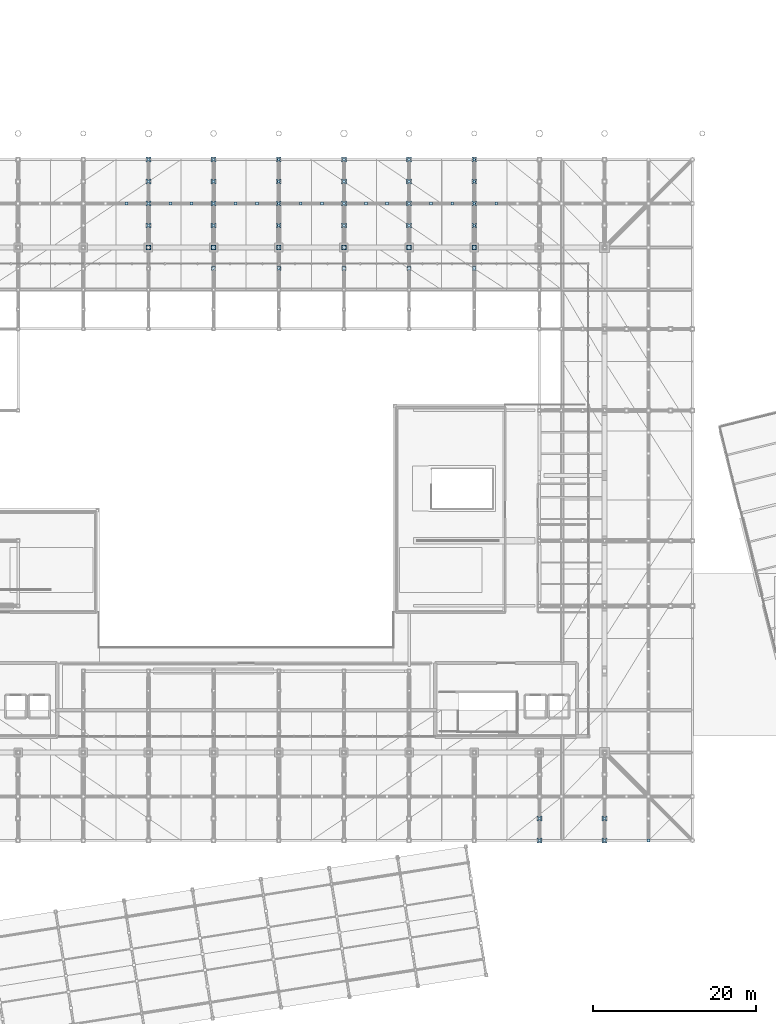
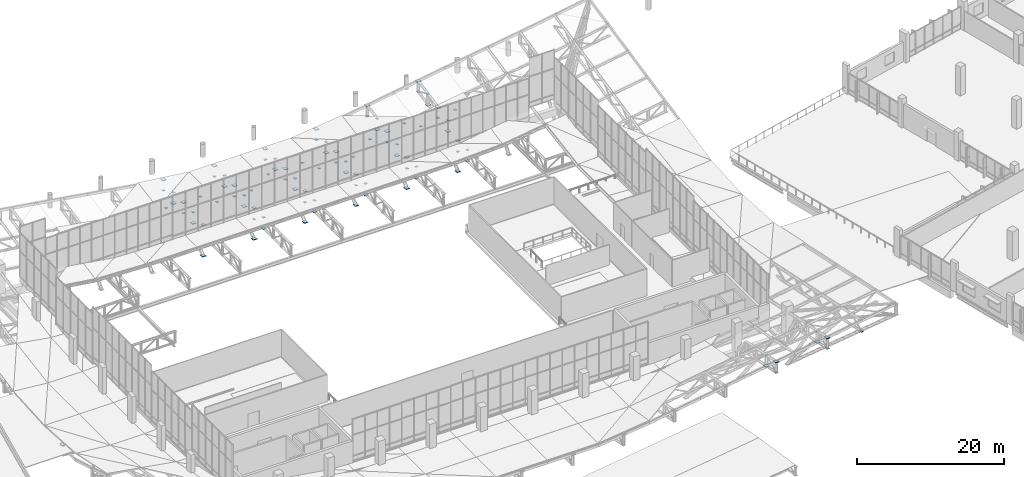
# One storey, part 118 of 137: 96 plates.
"""IFC4 building model written with IfcOpenShell, lengths in metres."""

from ifc_helpers import new_model, si_unit, direction, frame, origin, origin_2d, place, context, subcontext, project, spatial, rectangle, extrude, material, layer, layer_set, type_object, element, save


model = new_model("IFC4")

# Units and contexts
model_context = context("Model", 3, precision=1e-05, world=origin(), true_north=direction((0.0, 1.0)))
body_context = subcontext(model_context, "Body", "Model", "MODEL_VIEW")
ifc_project = project(units=[si_unit("LENGTHUNIT", "METRE"), si_unit("AREAUNIT", "SQUARE_METRE"), si_unit("VOLUMEUNIT", "CUBIC_METRE"), si_unit("PLANEANGLEUNIT", "RADIAN"), si_unit("MASSUNIT", "GRAM", prefix="KILO")], contexts=[model_context])

# Site, building, storey
site_placement = place(None, origin())
site = spatial("IfcSite", under=ifc_project, at=site_placement, CompositionType="ELEMENT")
building_placement = place(site_placement, origin())
building = spatial("IfcBuilding", under=site, at=building_placement, Name="Khorjan Park Terminus", CompositionType="ELEMENT")
storey_placement = place(building_placement, frame((0.0, 0.0, 11.4)))
storey = spatial("IfcBuildingStorey", under=building, at=storey_placement, Name="L02", CompositionType="ELEMENT", Elevation=11.4)

# Plates
ifc_material = material(Name="Steel S355", Category="steel")
ifc_layer_1 = layer(ifc_material, 0.022)
ifc_layer_set_1 = layer_set([ifc_layer_1], Name="Steel S355")
plate_type_1 = type_object("IfcPlateType", Name="PT-GUS-22", PredefinedType="SHEET", material=ifc_layer_set_1)
plate_placement = place(storey_placement, frame((80.0, 88.0, -0.061), z_axis=(0.0, 0.0, 1.0), x_axis=(1.0, 0.0, 0.0)))
element("IfcPlate", 1, at=plate_placement, inside=storey, type_object=plate_type_1, Name="Steel truss node cap plate NP-22 (RC2-GUS-END-0640)", PredefinedType="SHEET", context=body_context, shape_type="SweptSolid", body=[
    extrude(rectangle(XDim=0.49, YDim=0.49, at=origin_2d()), origin(), (0.0, 0.0, 1.0), 0.022),
])
for number, where, z_axis, x_axis, name in (
    (2, (88.0, 85.4, -0.061), (0.0, 0.0, 1.0), (1.0, 0.0, 0.0), "Steel truss node cap plate NP-22 (RC2-GUS-END-0668)"),
    (3, (88.0, 88.0, -1.931), (0.0, 0.0, 1.0), (1.0, 0.0, 0.0), "Steel truss node cap plate NP-22 (RC2-GUS-END-0669)"),
):
    element("IfcPlate", number, at=place(storey_placement, frame(where, z_axis=z_axis, x_axis=x_axis)), inside=storey, type_object=plate_type_1, Name=name, PredefinedType="SHEET", context=body_context, shape_type="SweptSolid", body=[
        extrude(rectangle(XDim=0.36, YDim=0.36, at=origin_2d()), origin(), (0.0, 0.0, 1.0), 0.022),
    ])
for number, where, z_axis, x_axis, name in (
    (4, (88.0, 85.4, -1.931), (0.0, 0.0, 1.0), (1.0, 0.0, 0.0), "Steel truss node cap plate NP-22 (RC2-GUS-END-0677)"),
    (5, (88.0, 88.0, -0.061), (0.0, 0.0, 1.0), (1.0, 0.0, 0.0), "Steel truss node cap plate NP-22 (RC2-GUS-END-0678)"),
):
    element("IfcPlate", number, at=place(storey_placement, frame(where, z_axis=z_axis, x_axis=x_axis)), inside=storey, type_object=plate_type_1, Name=name, PredefinedType="SHEET", context=body_context, shape_type="SweptSolid", body=[
        extrude(rectangle(XDim=0.49, YDim=0.49, at=origin_2d()), origin(), (0.0, 0.0, 1.0), 0.022),
    ])
for number, where, z_axis, x_axis, name in (
    (6, (96.0, 85.4, -0.061), (0.0, 0.0, 1.0), (1.0, 0.0, 0.0), "Steel truss node cap plate NP-22 (RC2-GUS-END-0706)"),
    (7, (96.0, 88.0, -1.931), (0.0, 0.0, 1.0), (1.0, 0.0, 0.0), "Steel truss node cap plate NP-22 (RC2-GUS-END-0707)"),
):
    element("IfcPlate", number, at=place(storey_placement, frame(where, z_axis=z_axis, x_axis=x_axis)), inside=storey, type_object=plate_type_1, Name=name, PredefinedType="SHEET", context=body_context, shape_type="SweptSolid", body=[
        extrude(rectangle(XDim=0.36, YDim=0.36, at=origin_2d()), origin(), (0.0, 0.0, 1.0), 0.022),
    ])
for number, where, z_axis, x_axis, name in (
    (8, (96.0, 85.4, -1.931), (0.0, 0.0, 1.0), (1.0, 0.0, 0.0), "Steel truss node cap plate NP-22 (RC2-GUS-END-0715)"),
    (9, (96.0, 88.0, -0.061), (0.0, 0.0, 1.0), (1.0, 0.0, 0.0), "Steel truss node cap plate NP-22 (RC2-GUS-END-0716)"),
):
    element("IfcPlate", number, at=place(storey_placement, frame(where, z_axis=z_axis, x_axis=x_axis)), inside=storey, type_object=plate_type_1, Name=name, PredefinedType="SHEET", context=body_context, shape_type="SweptSolid", body=[
        extrude(rectangle(XDim=0.49, YDim=0.49, at=origin_2d()), origin(), (0.0, 0.0, 1.0), 0.022),
    ])
for number, where, z_axis, x_axis, name in (
    (10, (104.0, 85.4, -0.061), (0.0, 0.0, 1.0), (1.0, 0.0, 0.0), "Steel truss node cap plate NP-22 (RC2-GUS-END-0744)"),
    (11, (104.0, 88.0, -1.931), (0.0, 0.0, 1.0), (1.0, 0.0, 0.0), "Steel truss node cap plate NP-22 (RC2-GUS-END-0745)"),
):
    element("IfcPlate", number, at=place(storey_placement, frame(where, z_axis=z_axis, x_axis=x_axis)), inside=storey, type_object=plate_type_1, Name=name, PredefinedType="SHEET", context=body_context, shape_type="SweptSolid", body=[
        extrude(rectangle(XDim=0.36, YDim=0.36, at=origin_2d()), origin(), (0.0, 0.0, 1.0), 0.022),
    ])
for number, where, z_axis, x_axis, name in (
    (12, (104.0, 85.4, -1.931), (0.0, 0.0, 1.0), (1.0, 0.0, 0.0), "Steel truss node cap plate NP-22 (RC2-GUS-END-0753)"),
    (13, (104.0, 88.0, -0.061), (0.0, 0.0, 1.0), (1.0, 0.0, 0.0), "Steel truss node cap plate NP-22 (RC2-GUS-END-0754)"),
):
    element("IfcPlate", number, at=place(storey_placement, frame(where, z_axis=z_axis, x_axis=x_axis)), inside=storey, type_object=plate_type_1, Name=name, PredefinedType="SHEET", context=body_context, shape_type="SweptSolid", body=[
        extrude(rectangle(XDim=0.49, YDim=0.49, at=origin_2d()), origin(), (0.0, 0.0, 1.0), 0.022),
    ])
for number, where, z_axis, x_axis, name in (
    (14, (112.0, 85.4, -0.061), (0.0, 0.0, 1.0), (1.0, 0.0, 0.0), "Steel truss node cap plate NP-22 (RC2-GUS-END-0782)"),
    (15, (112.0, 88.0, -1.931), (0.0, 0.0, 1.0), (1.0, 0.0, 0.0), "Steel truss node cap plate NP-22 (RC2-GUS-END-0783)"),
):
    element("IfcPlate", number, at=place(storey_placement, frame(where, z_axis=z_axis, x_axis=x_axis)), inside=storey, type_object=plate_type_1, Name=name, PredefinedType="SHEET", context=body_context, shape_type="SweptSolid", body=[
        extrude(rectangle(XDim=0.36, YDim=0.36, at=origin_2d()), origin(), (0.0, 0.0, 1.0), 0.022),
    ])
for number, where, z_axis, x_axis, name in (
    (16, (112.0, 85.4, -1.931), (0.0, 0.0, 1.0), (1.0, 0.0, 0.0), "Steel truss node cap plate NP-22 (RC2-GUS-END-0791)"),
    (17, (112.0, 88.0, -0.061), (0.0, 0.0, 1.0), (1.0, 0.0, 0.0), "Steel truss node cap plate NP-22 (RC2-GUS-END-0792)"),
):
    element("IfcPlate", number, at=place(storey_placement, frame(where, z_axis=z_axis, x_axis=x_axis)), inside=storey, type_object=plate_type_1, Name=name, PredefinedType="SHEET", context=body_context, shape_type="SweptSolid", body=[
        extrude(rectangle(XDim=0.49, YDim=0.49, at=origin_2d()), origin(), (0.0, 0.0, 1.0), 0.022),
    ])
for number, where, z_axis, x_axis, name in (
    (18, (120.0, 85.4, -0.061), (0.0, 0.0, 1.0), (1.0, 0.0, 0.0), "Steel truss node cap plate NP-22 (RC2-GUS-END-0812)"),
    (19, (120.0, 88.0, -1.931), (0.0, 0.0, 1.0), (1.0, 0.0, 0.0), "Steel truss node cap plate NP-22 (RC2-GUS-END-0813)"),
):
    element("IfcPlate", number, at=place(storey_placement, frame(where, z_axis=z_axis, x_axis=x_axis)), inside=storey, type_object=plate_type_1, Name=name, PredefinedType="SHEET", context=body_context, shape_type="SweptSolid", body=[
        extrude(rectangle(XDim=0.36, YDim=0.36, at=origin_2d()), origin(), (0.0, 0.0, 1.0), 0.022),
    ])
for number, where, z_axis, x_axis, name in (
    (20, (120.0, 85.4, -1.931), (0.0, 0.0, 1.0), (1.0, 0.0, 0.0), "Steel truss node cap plate NP-22 (RC2-GUS-END-0821)"),
    (21, (120.0, 88.0, -0.061), (0.0, 0.0, 1.0), (1.0, 0.0, 0.0), "Steel truss node cap plate NP-22 (RC2-GUS-END-0822)"),
):
    element("IfcPlate", number, at=place(storey_placement, frame(where, z_axis=z_axis, x_axis=x_axis)), inside=storey, type_object=plate_type_1, Name=name, PredefinedType="SHEET", context=body_context, shape_type="SweptSolid", body=[
        extrude(rectangle(XDim=0.49, YDim=0.49, at=origin_2d()), origin(), (0.0, 0.0, 1.0), 0.022),
    ])
ifc_layer_2 = layer(ifc_material, 0.025)
ifc_layer_set_2 = layer_set([ifc_layer_2], Name="Steel S355")
plate_type_2 = type_object("IfcPlateType", Name="PT-GUSE-25", PredefinedType="SHEET", material=ifc_layer_set_2)
for number, where, z_axis, x_axis, name in (
    (22, (80.0, 90.7, 0.3795), (0.0, 0.0, 1.0), (1.0, 0.0, 0.0), "Steel truss node cap plate NPE-25 (RC2-GUS-END-0632)"),
    (23, (80.0, 93.4, -1.4205), (0.0, 0.0, 1.0), (1.0, 0.0, 0.0), "Steel truss node cap plate NPE-25 (RC2-GUS-END-0633)"),
    (24, (80.0, 96.1, 0.3795), (0.0, 0.0, 1.0), (1.0, 0.0, 0.0), "Steel truss node cap plate NPE-25 (RC2-GUS-END-0634)"),
    (25, (80.0, 98.8, -0.9397), (0.0, 0.0, 1.0), (1.0, 0.0, 0.0), "Steel truss node cap plate NPE-25 (RC2-GUS-END-0635)"),
):
    element("IfcPlate", number, at=place(storey_placement, frame(where, z_axis=z_axis, x_axis=x_axis)), inside=storey, type_object=plate_type_2, Name=name, PredefinedType="SHEET", context=body_context, shape_type="SweptSolid", body=[
        extrude(rectangle(XDim=0.36, YDim=0.36, at=origin_2d()), origin(), (0.0, 0.0, 1.0), 0.025),
    ])
for number, where, z_axis, x_axis, name in (
    (26, (80.0, 90.7, -1.4205), (0.0, 0.0, 1.0), (1.0, 0.0, 0.0), "Steel truss node cap plate NPE-25 (RC2-GUS-END-0641)"),
    (27, (80.0, 93.4, 0.3795), (0.0, 0.0, 1.0), (1.0, 0.0, 0.0), "Steel truss node cap plate NPE-25 (RC2-GUS-END-0642)"),
    (28, (80.0, 96.1, -1.4205), (0.0, 0.0, 1.0), (1.0, 0.0, 0.0), "Steel truss node cap plate NPE-25 (RC2-GUS-END-0643)"),
    (29, (80.0, 98.8, 0.8603), (0.0, 0.0, 1.0), (1.0, 0.0, 0.0), "Steel truss node cap plate NPE-25 (RC2-GUS-END-0644)"),
    (30, (80.0, 88.0, -5.2125), (0.0, 0.0, 1.0), (1.0, 0.0, 0.0), "Steel truss node cap plate NPE-25 (RC2-GUS-END-0645)"),
):
    element("IfcPlate", number, at=place(storey_placement, frame(where, z_axis=z_axis, x_axis=x_axis)), inside=storey, type_object=plate_type_2, Name=name, PredefinedType="SHEET", context=body_context, shape_type="SweptSolid", body=[
        extrude(rectangle(XDim=0.59, YDim=0.59, at=origin_2d()), origin(), (0.0, 0.0, 1.0), 0.025),
    ])
for number, where, z_axis, x_axis, name in (
    (31, (88.0, 90.7, 0.3795), (0.0, 0.0, 1.0), (1.0, 0.0, 0.0), "Steel truss node cap plate NPE-25 (RC2-GUS-END-0670)"),
    (32, (88.0, 93.4, -1.4205), (0.0, 0.0, 1.0), (1.0, 0.0, 0.0), "Steel truss node cap plate NPE-25 (RC2-GUS-END-0671)"),
    (33, (88.0, 96.1, 0.3795), (0.0, 0.0, 1.0), (1.0, 0.0, 0.0), "Steel truss node cap plate NPE-25 (RC2-GUS-END-0672)"),
    (34, (88.0, 98.8, -1.4205), (0.0, 0.0, 1.0), (1.0, 0.0, 0.0), "Steel truss node cap plate NPE-25 (RC2-GUS-END-0673)"),
):
    element("IfcPlate", number, at=place(storey_placement, frame(where, z_axis=z_axis, x_axis=x_axis)), inside=storey, type_object=plate_type_2, Name=name, PredefinedType="SHEET", context=body_context, shape_type="SweptSolid", body=[
        extrude(rectangle(XDim=0.36, YDim=0.36, at=origin_2d()), origin(), (0.0, 0.0, 1.0), 0.025),
    ])
for number, where, z_axis, x_axis, name in (
    (35, (88.0, 90.7, -1.4205), (0.0, 0.0, 1.0), (1.0, 0.0, 0.0), "Steel truss node cap plate NPE-25 (RC2-GUS-END-0679)"),
    (36, (88.0, 93.4, 0.3795), (0.0, 0.0, 1.0), (1.0, 0.0, 0.0), "Steel truss node cap plate NPE-25 (RC2-GUS-END-0680)"),
    (37, (88.0, 96.1, -1.4205), (0.0, 0.0, 1.0), (1.0, 0.0, 0.0), "Steel truss node cap plate NPE-25 (RC2-GUS-END-0681)"),
    (38, (88.0, 98.8, 0.3795), (0.0, 0.0, 1.0), (1.0, 0.0, 0.0), "Steel truss node cap plate NPE-25 (RC2-GUS-END-0682)"),
    (39, (88.0, 88.0, -5.2125), (0.0, 0.0, 1.0), (1.0, 0.0, 0.0), "Steel truss node cap plate NPE-25 (RC2-GUS-END-0683)"),
):
    element("IfcPlate", number, at=place(storey_placement, frame(where, z_axis=z_axis, x_axis=x_axis)), inside=storey, type_object=plate_type_2, Name=name, PredefinedType="SHEET", context=body_context, shape_type="SweptSolid", body=[
        extrude(rectangle(XDim=0.59, YDim=0.59, at=origin_2d()), origin(), (0.0, 0.0, 1.0), 0.025),
    ])
for number, where, z_axis, x_axis, name in (
    (40, (96.0, 90.7, 0.3795), (0.0, 0.0, 1.0), (1.0, 0.0, 0.0), "Steel truss node cap plate NPE-25 (RC2-GUS-END-0708)"),
    (41, (96.0, 93.4, -1.4205), (0.0, 0.0, 1.0), (1.0, 0.0, 0.0), "Steel truss node cap plate NPE-25 (RC2-GUS-END-0709)"),
    (42, (96.0, 96.1, 0.3795), (0.0, 0.0, 1.0), (1.0, 0.0, 0.0), "Steel truss node cap plate NPE-25 (RC2-GUS-END-0710)"),
    (43, (96.0, 98.8, -1.4205), (0.0, 0.0, 1.0), (1.0, 0.0, 0.0), "Steel truss node cap plate NPE-25 (RC2-GUS-END-0711)"),
):
    element("IfcPlate", number, at=place(storey_placement, frame(where, z_axis=z_axis, x_axis=x_axis)), inside=storey, type_object=plate_type_2, Name=name, PredefinedType="SHEET", context=body_context, shape_type="SweptSolid", body=[
        extrude(rectangle(XDim=0.36, YDim=0.36, at=origin_2d()), origin(), (0.0, 0.0, 1.0), 0.025),
    ])
for number, where, z_axis, x_axis, name in (
    (44, (96.0, 90.7, -1.4205), (0.0, 0.0, 1.0), (1.0, 0.0, 0.0), "Steel truss node cap plate NPE-25 (RC2-GUS-END-0717)"),
    (45, (96.0, 93.4, 0.3795), (0.0, 0.0, 1.0), (1.0, 0.0, 0.0), "Steel truss node cap plate NPE-25 (RC2-GUS-END-0718)"),
    (46, (96.0, 96.1, -1.4205), (0.0, 0.0, 1.0), (1.0, 0.0, 0.0), "Steel truss node cap plate NPE-25 (RC2-GUS-END-0719)"),
    (47, (96.0, 98.8, 0.3795), (0.0, 0.0, 1.0), (1.0, 0.0, 0.0), "Steel truss node cap plate NPE-25 (RC2-GUS-END-0720)"),
    (48, (96.0, 88.0, -5.2125), (0.0, 0.0, 1.0), (1.0, 0.0, 0.0), "Steel truss node cap plate NPE-25 (RC2-GUS-END-0721)"),
):
    element("IfcPlate", number, at=place(storey_placement, frame(where, z_axis=z_axis, x_axis=x_axis)), inside=storey, type_object=plate_type_2, Name=name, PredefinedType="SHEET", context=body_context, shape_type="SweptSolid", body=[
        extrude(rectangle(XDim=0.59, YDim=0.59, at=origin_2d()), origin(), (0.0, 0.0, 1.0), 0.025),
    ])
for number, where, z_axis, x_axis, name in (
    (49, (104.0, 90.7, 0.3795), (0.0, 0.0, 1.0), (1.0, 0.0, 0.0), "Steel truss node cap plate NPE-25 (RC2-GUS-END-0746)"),
    (50, (104.0, 93.4, -1.4205), (0.0, 0.0, 1.0), (1.0, 0.0, 0.0), "Steel truss node cap plate NPE-25 (RC2-GUS-END-0747)"),
    (51, (104.0, 96.1, 0.3795), (0.0, 0.0, 1.0), (1.0, 0.0, 0.0), "Steel truss node cap plate NPE-25 (RC2-GUS-END-0748)"),
    (52, (104.0, 98.8, -0.9397), (0.0, 0.0, 1.0), (1.0, 0.0, 0.0), "Steel truss node cap plate NPE-25 (RC2-GUS-END-0749)"),
):
    element("IfcPlate", number, at=place(storey_placement, frame(where, z_axis=z_axis, x_axis=x_axis)), inside=storey, type_object=plate_type_2, Name=name, PredefinedType="SHEET", context=body_context, shape_type="SweptSolid", body=[
        extrude(rectangle(XDim=0.36, YDim=0.36, at=origin_2d()), origin(), (0.0, 0.0, 1.0), 0.025),
    ])
for number, where, z_axis, x_axis, name in (
    (53, (104.0, 90.7, -1.4205), (0.0, 0.0, 1.0), (1.0, 0.0, 0.0), "Steel truss node cap plate NPE-25 (RC2-GUS-END-0755)"),
    (54, (104.0, 93.4, 0.3795), (0.0, 0.0, 1.0), (1.0, 0.0, 0.0), "Steel truss node cap plate NPE-25 (RC2-GUS-END-0756)"),
    (55, (104.0, 96.1, -1.4205), (0.0, 0.0, 1.0), (1.0, 0.0, 0.0), "Steel truss node cap plate NPE-25 (RC2-GUS-END-0757)"),
    (56, (104.0, 98.8, 0.8603), (0.0, 0.0, 1.0), (1.0, 0.0, 0.0), "Steel truss node cap plate NPE-25 (RC2-GUS-END-0758)"),
    (57, (104.0, 88.0, -5.2125), (0.0, 0.0, 1.0), (1.0, 0.0, 0.0), "Steel truss node cap plate NPE-25 (RC2-GUS-END-0759)"),
):
    element("IfcPlate", number, at=place(storey_placement, frame(where, z_axis=z_axis, x_axis=x_axis)), inside=storey, type_object=plate_type_2, Name=name, PredefinedType="SHEET", context=body_context, shape_type="SweptSolid", body=[
        extrude(rectangle(XDim=0.59, YDim=0.59, at=origin_2d()), origin(), (0.0, 0.0, 1.0), 0.025),
    ])
for number, where, z_axis, x_axis, name in (
    (58, (112.0, 90.7, 0.4183), (0.0, 0.0, 1.0), (1.0, 0.0, 0.0), "Steel truss node cap plate NPE-25 (RC2-GUS-END-0784)"),
    (59, (112.0, 93.4, -0.8402), (0.0, 0.0, 1.0), (1.0, 0.0, 0.0), "Steel truss node cap plate NPE-25 (RC2-GUS-END-0785)"),
    (60, (112.0, 96.1, 1.4406), (0.0, 0.0, 1.0), (1.0, 0.0, 0.0), "Steel truss node cap plate NPE-25 (RC2-GUS-END-0786)"),
    (61, (112.0, 98.8, 0.1822), (0.0, 0.0, 1.0), (1.0, 0.0, 0.0), "Steel truss node cap plate NPE-25 (RC2-GUS-END-0787)"),
):
    element("IfcPlate", number, at=place(storey_placement, frame(where, z_axis=z_axis, x_axis=x_axis)), inside=storey, type_object=plate_type_2, Name=name, PredefinedType="SHEET", context=body_context, shape_type="SweptSolid", body=[
        extrude(rectangle(XDim=0.36, YDim=0.36, at=origin_2d()), origin(), (0.0, 0.0, 1.0), 0.025),
    ])
for number, where, z_axis, x_axis, name in (
    (62, (112.0, 90.7, -1.3817), (0.0, 0.0, 1.0), (1.0, 0.0, 0.0), "Steel truss node cap plate NPE-25 (RC2-GUS-END-0793)"),
    (63, (112.0, 93.4, 0.9598), (0.0, 0.0, 1.0), (1.0, 0.0, 0.0), "Steel truss node cap plate NPE-25 (RC2-GUS-END-0794)"),
    (64, (112.0, 96.1, -0.3594), (0.0, 0.0, 1.0), (1.0, 0.0, 0.0), "Steel truss node cap plate NPE-25 (RC2-GUS-END-0795)"),
    (65, (112.0, 98.8, 1.9822), (0.0, 0.0, 1.0), (1.0, 0.0, 0.0), "Steel truss node cap plate NPE-25 (RC2-GUS-END-0796)"),
    (66, (112.0, 88.0, -5.2125), (0.0, 0.0, 1.0), (1.0, 0.0, 0.0), "Steel truss node cap plate NPE-25 (RC2-GUS-END-0797)"),
):
    element("IfcPlate", number, at=place(storey_placement, frame(where, z_axis=z_axis, x_axis=x_axis)), inside=storey, type_object=plate_type_2, Name=name, PredefinedType="SHEET", context=body_context, shape_type="SweptSolid", body=[
        extrude(rectangle(XDim=0.59, YDim=0.59, at=origin_2d()), origin(), (0.0, 0.0, 1.0), 0.025),
    ])
for number, where, z_axis, x_axis, name in (
    (67, (120.0, 90.7, 1.6398), (0.0, 0.0, 1.0), (1.0, 0.0, 0.0), "Steel truss node cap plate NPE-25 (RC2-GUS-END-0814)"),
    (68, (120.0, 93.4, 0.3813), (0.0, 0.0, 1.0), (1.0, 0.0, 0.0), "Steel truss node cap plate NPE-25 (RC2-GUS-END-0815)"),
    (69, (120.0, 96.1, 2.7228), (0.0, 0.0, 1.0), (1.0, 0.0, 0.0), "Steel truss node cap plate NPE-25 (RC2-GUS-END-0816)"),
    (70, (120.0, 98.8, 1.4643), (0.0, 0.0, 1.0), (1.0, 0.0, 0.0), "Steel truss node cap plate NPE-25 (RC2-GUS-END-0817)"),
):
    element("IfcPlate", number, at=place(storey_placement, frame(where, z_axis=z_axis, x_axis=x_axis)), inside=storey, type_object=plate_type_2, Name=name, PredefinedType="SHEET", context=body_context, shape_type="SweptSolid", body=[
        extrude(rectangle(XDim=0.36, YDim=0.36, at=origin_2d()), origin(), (0.0, 0.0, 1.0), 0.025),
    ])
for number, where, z_axis, x_axis, name in (
    (71, (120.0, 90.7, -0.1602), (0.0, 0.0, 1.0), (1.0, 0.0, 0.0), "Steel truss node cap plate NPE-25 (RC2-GUS-END-0823)"),
    (72, (120.0, 93.4, 2.1813), (0.0, 0.0, 1.0), (1.0, 0.0, 0.0), "Steel truss node cap plate NPE-25 (RC2-GUS-END-0824)"),
    (73, (120.0, 96.1, 0.9228), (0.0, 0.0, 1.0), (1.0, 0.0, 0.0), "Steel truss node cap plate NPE-25 (RC2-GUS-END-0825)"),
    (74, (120.0, 98.8, 3.2643), (0.0, 0.0, 1.0), (1.0, 0.0, 0.0), "Steel truss node cap plate NPE-25 (RC2-GUS-END-0826)"),
    (75, (120.0, 88.0, -5.2125), (0.0, 0.0, 1.0), (1.0, 0.0, 0.0), "Steel truss node cap plate NPE-25 (RC2-GUS-END-0827)"),
):
    element("IfcPlate", number, at=place(storey_placement, frame(where, z_axis=z_axis, x_axis=x_axis)), inside=storey, type_object=plate_type_2, Name=name, PredefinedType="SHEET", context=body_context, shape_type="SweptSolid", body=[
        extrude(rectangle(XDim=0.59, YDim=0.59, at=origin_2d()), origin(), (0.0, 0.0, 1.0), 0.025),
    ])
for number, where, z_axis, x_axis, name in (
    (76, (128.0, 15.2, 2.72), (0.0, 0.0, 1.0), (1.0, 0.0, 0.0), "Steel truss node cap plate NPE-25 (RC2-GUS-END-0828)"),
    (77, (128.0, 17.9, 3.969), (0.0, 0.0, 1.0), (1.0, 0.0, 0.0), "Steel truss node cap plate NPE-25 (RC2-GUS-END-0829)"),
):
    element("IfcPlate", number, at=place(storey_placement, frame(where, z_axis=z_axis, x_axis=x_axis)), inside=storey, type_object=plate_type_2, Name=name, PredefinedType="SHEET", context=body_context, shape_type="SweptSolid", body=[
        extrude(rectangle(XDim=0.36, YDim=0.36, at=origin_2d()), origin(), (0.0, 0.0, 1.0), 0.025),
    ])
for number, where, z_axis, x_axis, name in (
    (78, (128.0, 15.2, 4.52), (0.0, 0.0, 1.0), (1.0, 0.0, 0.0), "Steel truss node cap plate NPE-25 (RC2-GUS-END-0833)"),
    (79, (128.0, 17.9, 2.169), (0.0, 0.0, 1.0), (1.0, 0.0, 0.0), "Steel truss node cap plate NPE-25 (RC2-GUS-END-0834)"),
):
    element("IfcPlate", number, at=place(storey_placement, frame(where, z_axis=z_axis, x_axis=x_axis)), inside=storey, type_object=plate_type_2, Name=name, PredefinedType="SHEET", context=body_context, shape_type="SweptSolid", body=[
        extrude(rectangle(XDim=0.59, YDim=0.59, at=origin_2d()), origin(), (0.0, 0.0, 1.0), 0.025),
    ])
for number, where, z_axis, x_axis, name in (
    (80, (136.0, 15.2, 3.9274), (0.0, 0.0, 1.0), (1.0, 0.0, 0.0), "Steel truss node cap plate NPE-25 (RC2-GUS-END-0858)"),
    (81, (136.0, 17.9, 5.1542), (0.0, 0.0, 1.0), (1.0, 0.0, 0.0), "Steel truss node cap plate NPE-25 (RC2-GUS-END-0859)"),
):
    element("IfcPlate", number, at=place(storey_placement, frame(where, z_axis=z_axis, x_axis=x_axis)), inside=storey, type_object=plate_type_2, Name=name, PredefinedType="SHEET", context=body_context, shape_type="SweptSolid", body=[
        extrude(rectangle(XDim=0.36, YDim=0.36, at=origin_2d()), origin(), (0.0, 0.0, 1.0), 0.025),
    ])
for number, where, z_axis, x_axis, name in (
    (82, (136.0, 15.2, 5.7274), (0.0, 0.0, 1.0), (1.0, 0.0, 0.0), "Steel truss node cap plate NPE-25 (RC2-GUS-END-0863)"),
    (83, (136.0, 17.9, 3.3542), (0.0, 0.0, 1.0), (1.0, 0.0, 0.0), "Steel truss node cap plate NPE-25 (RC2-GUS-END-0864)"),
):
    element("IfcPlate", number, at=place(storey_placement, frame(where, z_axis=z_axis, x_axis=x_axis)), inside=storey, type_object=plate_type_2, Name=name, PredefinedType="SHEET", context=body_context, shape_type="SweptSolid", body=[
        extrude(rectangle(XDim=0.59, YDim=0.59, at=origin_2d()), origin(), (0.0, 0.0, 1.0), 0.025),
    ])
for number, where, z_axis, x_axis, name in (
    (84, (77.3, 93.4, 0.3795), (0.0, 0.0, 1.0), (1.0, 0.0, 0.0), "Steel truss node cap plate NPE-25 (RC2-GUS-END-0921)"),
    (85, (82.7, 93.4, 0.3795), (0.0, 0.0, 1.0), (1.0, 0.0, 0.0), "Steel truss node cap plate NPE-25 (RC2-GUS-END-0922)"),
    (86, (85.3, 93.4, -1.4205), (0.0, 0.0, 1.0), (1.0, 0.0, 0.0), "Steel truss node cap plate NPE-25 (RC2-GUS-END-0923)"),
    (87, (90.7, 93.4, -1.4205), (0.0, 0.0, 1.0), (1.0, 0.0, 0.0), "Steel truss node cap plate NPE-25 (RC2-GUS-END-0924)"),
    (88, (93.3, 93.4, 0.3795), (0.0, 0.0, 1.0), (1.0, 0.0, 0.0), "Steel truss node cap plate NPE-25 (RC2-GUS-END-0925)"),
    (89, (98.7, 93.4, 0.3795), (0.0, 0.0, 1.0), (1.0, 0.0, 0.0), "Steel truss node cap plate NPE-25 (RC2-GUS-END-0926)"),
    (90, (101.3, 93.4, -1.4205), (0.0, 0.0, 1.0), (1.0, 0.0, 0.0), "Steel truss node cap plate NPE-25 (RC2-GUS-END-0927)"),
    (91, (106.7, 93.4, -1.4205), (0.0, 0.0, 1.0), (1.0, 0.0, 0.0), "Steel truss node cap plate NPE-25 (RC2-GUS-END-0928)"),
    (92, (109.3, 93.4, 0.5681), (0.0, 0.0, 1.0), (1.0, 0.0, 0.0), "Steel truss node cap plate NPE-25 (RC2-GUS-END-0929)"),
    (93, (114.7, 93.4, 1.3516), (0.0, 0.0, 1.0), (1.0, 0.0, 0.0), "Steel truss node cap plate NPE-25 (RC2-GUS-END-0930)"),
    (94, (117.3, 93.4, -0.0514), (0.0, 0.0, 1.0), (1.0, 0.0, 0.0), "Steel truss node cap plate NPE-25 (RC2-GUS-END-0931)"),
    (95, (122.7, 93.4, 0.814), (0.0, 0.0, 1.0), (1.0, 0.0, 0.0), "Steel truss node cap plate NPE-25 (RC2-GUS-END-0932)"),
    (96, (141.4, 15.2, 4.8434), (0.0, 0.0, 1.0), (1.0, 0.0, 0.0), "Steel truss node cap plate NPE-25 (RC2-GUS-END-1121)"),
):
    element("IfcPlate", number, at=place(storey_placement, frame(where, z_axis=z_axis, x_axis=x_axis)), inside=storey, type_object=plate_type_2, Name=name, PredefinedType="SHEET", context=body_context, shape_type="SweptSolid", body=[
        extrude(rectangle(XDim=0.36, YDim=0.36, at=origin_2d()), origin(), (0.0, 0.0, 1.0), 0.025),
    ])

save(model, "model.ifc")
